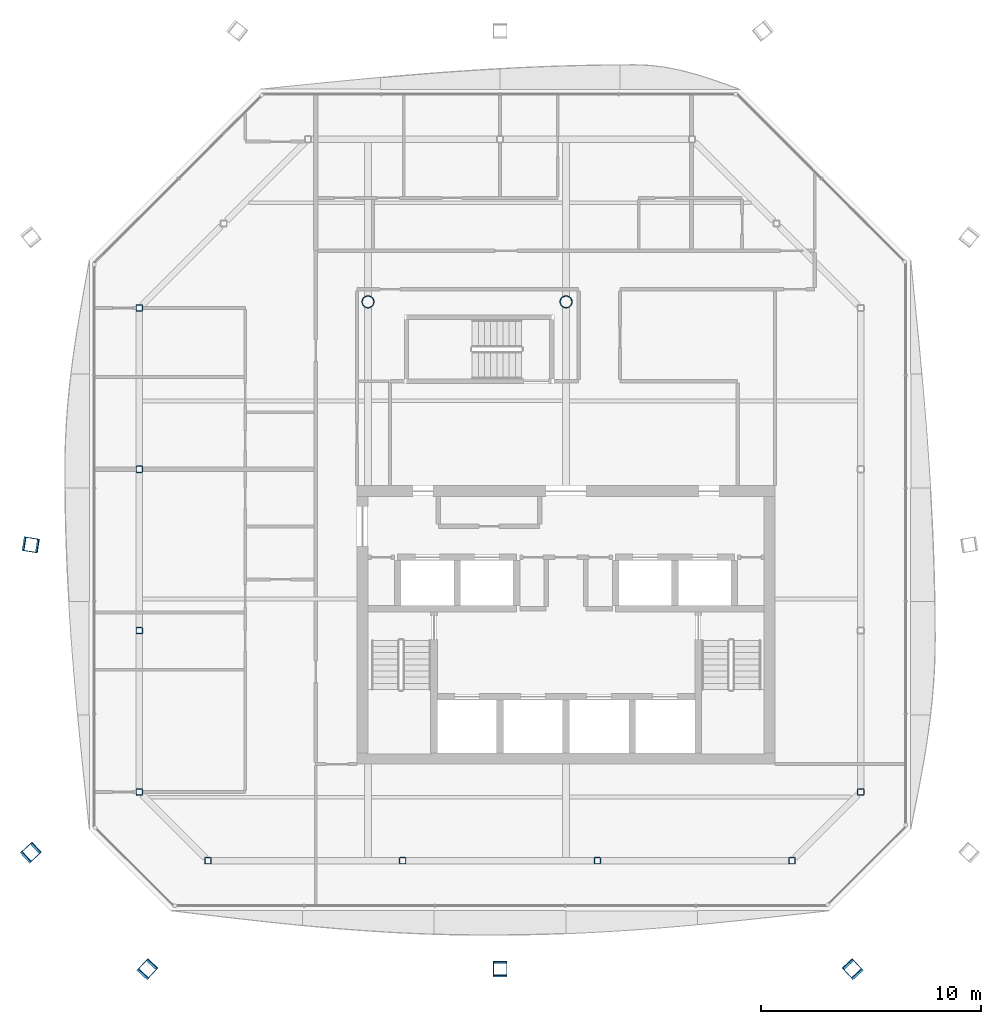
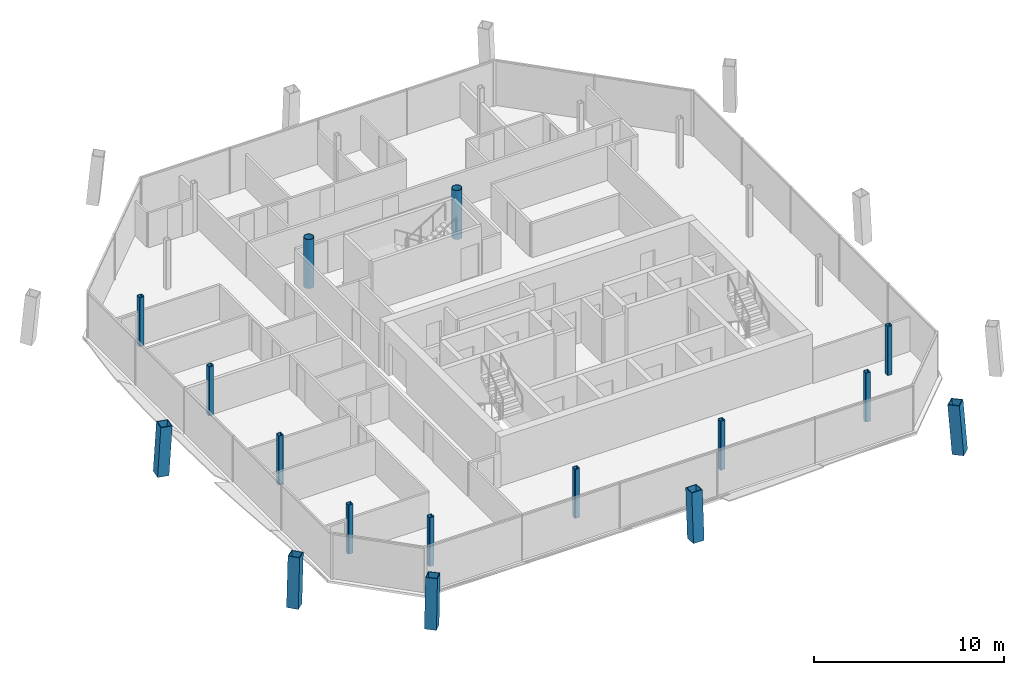
# One storey, part 1 of 17: 16 columns.
"""IFC4 building model written with IfcOpenShell, lengths in metres."""

from ifc_helpers import new_model, si_unit, direction, frame, origin, origin_2d, place, context, subcontext, project, spatial, hollow_rectangle, hollow_circle, extrude, material, material_profile, profile_set, type_object, element, save


model = new_model("IFC4")

# Units and contexts
model_context = context("Model", 3, precision=1e-05, world=origin(), true_north=direction((0.0, 1.0)))
body_context = subcontext(model_context, "Body", "Model", "MODEL_VIEW")
ifc_project = project(units=[si_unit("LENGTHUNIT", "METRE"), si_unit("AREAUNIT", "SQUARE_METRE"), si_unit("VOLUMEUNIT", "CUBIC_METRE"), si_unit("PLANEANGLEUNIT", "RADIAN"), si_unit("MASSUNIT", "GRAM", prefix="KILO")], contexts=[model_context])

# Site, building, storey
site_placement = place(None, origin())
site = spatial("IfcSite", under=ifc_project, at=site_placement, CompositionType="ELEMENT")
building_placement = place(site_placement, origin())
building = spatial("IfcBuilding", under=site, at=building_placement, Name="Tskaro Facet Tower", CompositionType="ELEMENT")
storey_placement = place(building_placement, frame((0.0, 0.0, 229.800048828125)))
storey = spatial("IfcBuildingStorey", under=building, at=storey_placement, Name="L59", CompositionType="ELEMENT", Elevation=229.800048828125)

# Columns
ifc_material_1 = material(Name="Steel S355J2", Category="steel")
ifc_material_profile_1 = material_profile(ifc_material_1, hollow_rectangle(XDim=0.64990234375, YDim=0.64990234375, WallThickness=0.0400390625, at=origin_2d()), Name="BOX 650x650x40")
ifc_profile_set_1 = profile_set([ifc_material_profile_1], Name="Steel S355J2")
column_type_1 = type_object("IfcColumnType", Name="BOX 650x650x40 mega column", PredefinedType="COLUMN", material=ifc_profile_set_1)
column_1_placement = place(storey_placement, frame((-19.052978515625, -21.35400390625, 0.0), z_axis=(0.052852898651, 0.057566388151, 0.996941664321), x_axis=(-0.736620357353, 0.676306475744, 0.0)))
element("IfcColumn", 1, at=column_1_placement, inside=storey, type_object=column_type_1, Name="BOX 650x650x40 MC01/5", PredefinedType="COLUMN", context=body_context, shape_type="SweptSolid", body=[
    extrude(hollow_rectangle(XDim=0.64990234375, YDim=0.64990234375, WallThickness=0.0400390625, at=origin_2d()), origin(), (0.0, 0.0, 1.0), 3.15966796875),
])
column_2_placement = place(storey_placement, frame((-3.0, -21.35400390625, 0.0), z_axis=(0.0, 0.057646960801, 0.998337031223), x_axis=(-1.0, 0.0, 0.0)))
element("IfcColumn", 2, at=column_2_placement, inside=storey, type_object=column_type_1, Name="BOX 650x650x40 MC02/5", PredefinedType="COLUMN", context=body_context, shape_type="SweptSolid", body=[
    extrude(hollow_rectangle(XDim=0.64990234375, YDim=0.64990234375, WallThickness=0.0400390625, at=origin_2d()), origin(), (0.0, 0.0, 1.0), 3.155029296875),
])
column_3_placement = place(storey_placement, frame((13.052978515625, -21.35400390625, 0.0), z_axis=(-0.052852898651, 0.057566388151, 0.996941664321), x_axis=(-0.736620357353, -0.676306475744, 0.0)))
element("IfcColumn", 3, at=column_3_placement, inside=storey, type_object=column_type_1, Name="BOX 650x650x40 MC03/5", PredefinedType="COLUMN", context=body_context, shape_type="SweptSolid", body=[
    extrude(hollow_rectangle(XDim=0.64990234375, YDim=0.64990234375, WallThickness=0.0400390625, at=origin_2d()), origin(), (0.0, 0.0, 1.0), 3.15966796875),
])
column_4_placement = place(storey_placement, frame((-24.35400390625, -2.032958984375, 0.0), z_axis=(0.057644517073, -0.009207647693, 0.998294710431), x_axis=(0.157732016924, 0.987481954689, 0.0)))
element("IfcColumn", 4, at=column_4_placement, inside=storey, type_object=column_type_1, Name="BOX 650x650x40 MC11/5", PredefinedType="COLUMN", context=body_context, shape_type="SweptSolid", body=[
    extrude(hollow_rectangle(XDim=0.64990234375, YDim=0.64990234375, WallThickness=0.0400390625, at=origin_2d()), origin(), (0.0, 0.0, 1.0), 3.1552734375),
])
column_5_placement = place(storey_placement, frame((-24.35400390625, -16.052978515625, 0.0), z_axis=(0.057566388151, 0.052852898651, 0.996941664321), x_axis=(-0.676306475744, 0.736620357353, 0.0)))
element("IfcColumn", 5, at=column_5_placement, inside=storey, type_object=column_type_1, Name="BOX 650x650x40 MC12/5", PredefinedType="COLUMN", context=body_context, shape_type="SweptSolid", body=[
    extrude(hollow_rectangle(XDim=0.64990234375, YDim=0.64990234375, WallThickness=0.0400390625, at=origin_2d()), origin(), (0.0, 0.0, 1.0), 3.15966796875),
])
ifc_material_2 = material(Name="Steel S355J2H", Category="steel")
ifc_material_profile_2 = material_profile(ifc_material_2, hollow_circle(Radius=0.279541015625, WallThickness=0.02490234375, at=origin_2d()), Name="CHS 559x25")
ifc_profile_set_2 = profile_set([ifc_material_profile_2], Name="Steel S355J2H")
column_type_2 = type_object("IfcColumnType", Name="CHS 559x25 interior column", PredefinedType="COLUMN", material=ifc_profile_set_2)
for number, where, z_axis, x_axis, name in (
    (6, (-9.0, 9.0, 0.0), (0.0, 0.0, 1.0), (1.0, 0.0, 0.0), "CHS 559x25 C3E/5"),
    (7, (0.0, 9.0, 0.0), (0.0, 0.0, 1.0), (1.0, 0.0, 0.0), "CHS 559x25 C4E/5"),
):
    element("IfcColumn", number, at=place(storey_placement, frame(where, z_axis=z_axis, x_axis=x_axis)), inside=storey, type_object=column_type_2, Name=name, PredefinedType="COLUMN", context=body_context, shape_type="SweptSolid", body=[
        extrude(hollow_circle(Radius=0.279541015625, WallThickness=0.02490234375, at=origin_2d()), origin(), (0.0, 0.0, 1.0), 3.14990234375),
    ])
ifc_material_profile_3 = material_profile(ifc_material_2, hollow_rectangle(XDim=0.300048828125, YDim=0.300048828125, WallThickness=0.02001953125, InnerFilletRadius=0.030029296875, OuterFilletRadius=0.050048828125, at=origin_2d()), Name="SHS 300x300x20")
ifc_profile_set_3 = profile_set([ifc_material_profile_3], Name="Steel S355J2H")
column_type_3 = type_object("IfcColumnType", Name="SHS 300x300x20 ring column", PredefinedType="COLUMN", material=ifc_profile_set_3)
for number, where, z_axis, x_axis, name in (
    (8, (-16.26806640625, -16.39111328125, 0.0), (0.0, 0.0, 1.0), (1.0, 0.0, 0.0), "SHS 300x300x20 RS-1/5"),
    (9, (-7.423095703125, -16.39111328125, 0.0), (0.0, 0.0, 1.0), (1.0, 0.0, 0.0), "SHS 300x300x20 RS-2/5"),
    (10, (1.423095703125, -16.39111328125, 0.0), (0.0, 0.0, 1.0), (1.0, 0.0, 0.0), "SHS 300x300x20 RS-3/5"),
    (11, (10.26806640625, -16.39111328125, 0.0), (0.0, 0.0, 1.0), (1.0, 0.0, 0.0), "SHS 300x300x20 RSE-1/5"),
    (12, (13.39111328125, -13.26806640625, 0.0), (0.0, 0.0, 1.0), (1.0, 0.0, 0.0), "SHS 300x300x20 RE-1/5"),
    (13, (-19.39111328125, 8.72509765625, 0.0), (0.0, 0.0, 1.0), (1.0, 0.0, 0.0), "SHS 300x300x20 RW-1/5"),
    (14, (-19.39111328125, 1.39404296875, 0.0), (0.0, 0.0, 1.0), (1.0, 0.0, 0.0), "SHS 300x300x20 RW-2/5"),
    (15, (-19.39111328125, -5.93701171875, 0.0), (0.0, 0.0, 1.0), (1.0, 0.0, 0.0), "SHS 300x300x20 RW-3/5"),
    (16, (-19.39111328125, -13.26806640625, 0.0), (0.0, 0.0, 1.0), (1.0, 0.0, 0.0), "SHS 300x300x20 RSW-1/5"),
):
    element("IfcColumn", number, at=place(storey_placement, frame(where, z_axis=z_axis, x_axis=x_axis)), inside=storey, type_object=column_type_3, Name=name, PredefinedType="COLUMN", context=body_context, shape_type="SweptSolid", body=[
        extrude(hollow_rectangle(XDim=0.300048828125, YDim=0.300048828125, WallThickness=0.02001953125, InnerFilletRadius=0.030029296875, OuterFilletRadius=0.050048828125, at=origin_2d()), origin(), (0.0, 0.0, 1.0), 3.14990234375),
    ])

save(model, "model.ifc")
